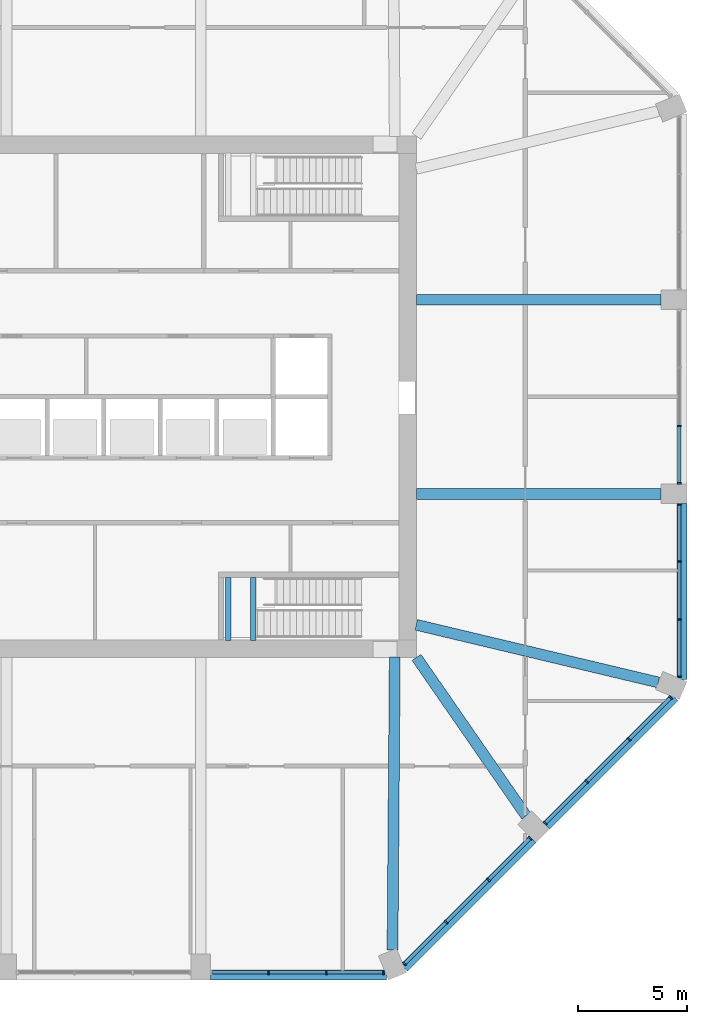
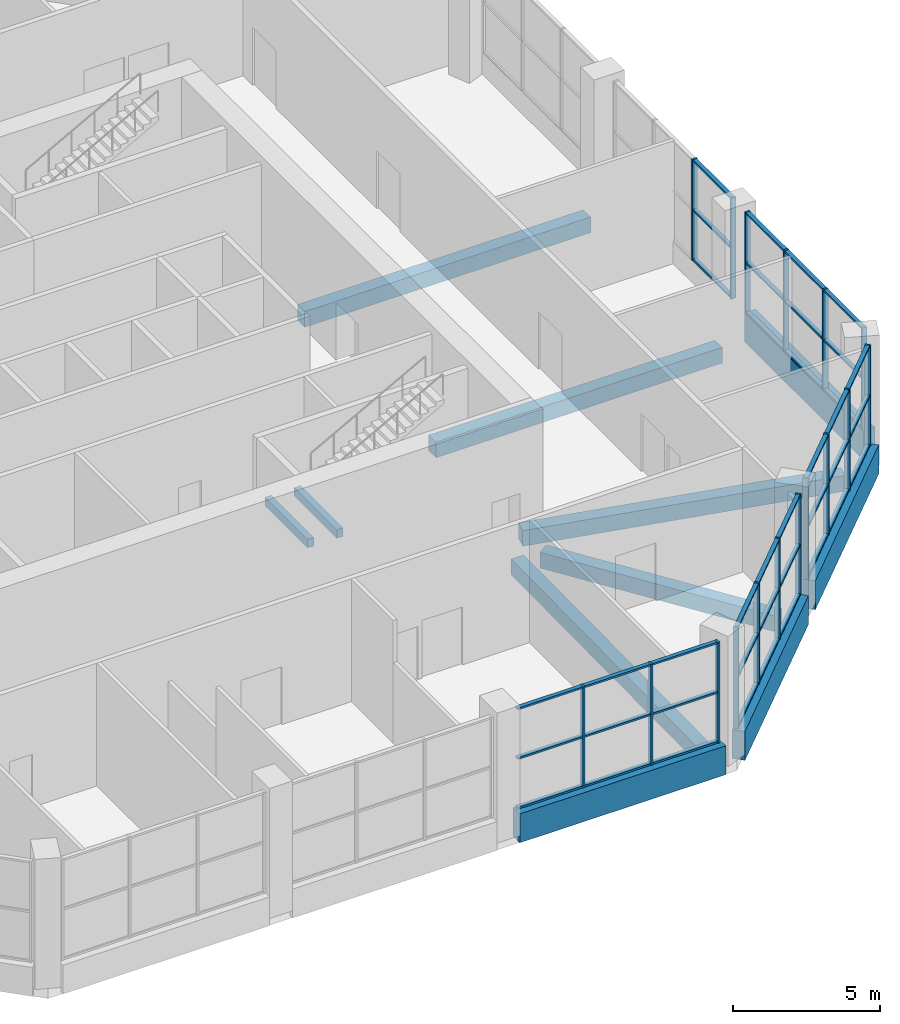
# One storey, part 4 of 16: 56 members, 11 beams, 5 elements without a shape of their own.
"""IFC4 building model written with IfcOpenShell, lengths in metres."""

from ifc_helpers import new_model, si_unit, direction, frame, origin, origin_2d, place, context, subcontext, project, spatial, rectangle, extrude, material, material_profile, profile_set, type_object, element, aggregate, save


model = new_model("IFC4")

# Units and contexts
model_context = context("Model", 3, precision=1e-05, world=origin(), true_north=direction((0.0, 1.0)))
body_context = subcontext(model_context, "Body", "Model", "MODEL_VIEW")
ifc_project = project(units=[si_unit("LENGTHUNIT", "METRE"), si_unit("AREAUNIT", "SQUARE_METRE"), si_unit("VOLUMEUNIT", "CUBIC_METRE"), si_unit("PLANEANGLEUNIT", "RADIAN"), si_unit("MASSUNIT", "GRAM", prefix="KILO")], contexts=[model_context])

# Site, building, storey
site_placement = place(None, origin())
site = spatial("IfcSite", under=ifc_project, at=site_placement, CompositionType="ELEMENT")
building_placement = place(site_placement, origin())
building = spatial("IfcBuilding", under=site, at=building_placement, Name="Msitu Wima Residences", CompositionType="ELEMENT")
storey_placement = place(building_placement, frame((0.0, 0.0, 156.89990234375)))
storey = spatial("IfcBuildingStorey", under=building, at=storey_placement, Name="L36", CompositionType="ELEMENT", Elevation=156.89990234375)

# Beams
ifc_material_1 = material(Name="Concrete C50/60", Category="concrete")
ifc_material_profile_1 = material_profile(ifc_material_1, rectangle(XDim=0.5, YDim=0.64990234375, at=origin_2d()), Name="RC 500x650")
ifc_profile_set_1 = profile_set([ifc_material_profile_1], Name="Concrete C50/60")
beam_type_1 = type_object("IfcBeamType", Name="Beam RC 500x650 Concrete C50/60", PredefinedType="BEAM", material=ifc_profile_set_1)
beam_1_placement = place(storey_placement, frame((25.5322265625, -13.150634765625, -0.724853515625), z_axis=(-0.972805528659, 0.231623408598, 0.0), x_axis=(-0.231623408598, -0.972805528659, 0.0)))
element("IfcBeam", 1, at=beam_1_placement, inside=storey, type_object=beam_type_1, Name="Beam L36 C-E0", PredefinedType="BEAM", context=body_context, shape_type="SweptSolid", body=[
    extrude(rectangle(XDim=0.5, YDim=0.64990234375, at=origin_2d()), origin(), (0.0, 0.0, 1.0), 11.455322265625),
])
for number, where, z_axis, x_axis, name in (
    (2, (25.64990234375, -4.46875, -0.724853515625), (-1.0, 0.0, 0.0), (0.0, -1.0, 0.0), "Beam L36 C-E1"),
    (3, (25.64990234375, 4.46875, -0.724853515625), (-1.0, 0.0, 0.0), (0.0, -1.0, 0.0), "Beam L36 C-E2"),
):
    element("IfcBeam", number, at=place(storey_placement, frame(where, z_axis=z_axis, x_axis=x_axis)), inside=storey, type_object=beam_type_1, Name=name, PredefinedType="BEAM", context=body_context, shape_type="SweptSolid", body=[
        extrude(rectangle(XDim=0.5, YDim=0.64990234375, at=origin_2d()), origin(), (0.0, 0.0, 1.0), 11.25),
    ])
beam_2_placement = place(storey_placement, frame((13.29638671875, -25.471923828125, -0.724853515625), z_axis=(0.007694865426, 0.999970394085, 0.0), x_axis=(-0.999970394085, 0.007694865426, 0.0)))
element("IfcBeam", 4, at=beam_2_placement, inside=storey, type_object=beam_type_1, Name="Beam L36 C-SE0", PredefinedType="BEAM", context=body_context, shape_type="SweptSolid", body=[
    extrude(rectangle(XDim=0.5, YDim=0.64990234375, at=origin_2d()), origin(), (0.0, 0.0, 1.0), 13.484375),
])
beam_3_placement = place(storey_placement, frame((19.44970703125, -19.29541015625, -0.724853515625), z_axis=(-0.569144158363, 0.822237755763, 0.0), x_axis=(-0.822237755763, -0.569144158363, 0.0)))
element("IfcBeam", 5, at=beam_3_placement, inside=storey, type_object=beam_type_1, Name="Beam L36 C-SE1", PredefinedType="BEAM", context=body_context, shape_type="SweptSolid", body=[
    extrude(rectangle(XDim=0.5, YDim=0.64990234375, at=origin_2d()), origin(), (0.0, 0.0, 1.0), 8.87255859375),
])
ifc_material_2 = material(Name="Concrete C40/50", Category="concrete")
ifc_material_profile_2 = material_profile(ifc_material_2, rectangle(XDim=0.25, YDim=0.35009765625, at=origin_2d()), Name="RC 250x350")
ifc_profile_set_2 = profile_set([ifc_material_profile_2], Name="Concrete C40/50")
beam_type_2 = type_object("IfcBeamType", Name="Landing beam RC 250x350", PredefinedType="BEAM", material=ifc_profile_set_2)
for number, where, z_axis, x_axis, name in (
    (6, (6.875, -11.22509765625, 2.406982421875), (0.0, 1.0, 0.0), (-1.0, 0.0, 0.0), "Stair 4 landing beam"),
    (7, (5.72509765625, -11.22509765625, 2.406982421875), (0.0, 1.0, 0.0), (-1.0, 0.0, 0.0), "Stair 4 landing beam"),
):
    element("IfcBeam", number, at=place(storey_placement, frame(where, z_axis=z_axis, x_axis=x_axis)), inside=storey, type_object=beam_type_2, Name=name, PredefinedType="BEAM", context=body_context, shape_type="SweptSolid", body=[
        extrude(rectangle(XDim=0.25, YDim=0.35009765625, at=origin_2d()), origin(), (0.0, 0.0, 1.0), 2.900146484375),
    ])

# Curtain wall, members
ifc_material_3 = material(Name="Anodised aluminium, bronze finish, solar control laminated double glazing", Category="aluminium")
curtain_wall_type = type_object("IfcCurtainWallType", Name="Curtain wall CW2 sky amenity wall", PredefinedType="NOTDEFINED", material=ifc_material_3)
curtain_wall_1_placement = place(storey_placement, origin())
curtain_wall_1 = element("IfcCurtainWall", 8, at=curtain_wall_1_placement, inside=storey, type_object=curtain_wall_type, Name="Curtain wall CW2 L36 E0", PredefinedType="NOTDEFINED")
ifc_material_4 = material(Name="Anodised aluminium, bronze finish", Category="aluminium")
ifc_material_profile_3 = material_profile(ifc_material_4, rectangle(XDim=0.199951171875, YDim=0.074951171875, at=origin_2d()), Name="Mullion 75x200")
ifc_profile_set_3 = profile_set([ifc_material_profile_3], Name="Anodised aluminium, bronze finish")
member_type_1 = type_object("IfcMemberType", Name="Mullion CW2 75x200", PredefinedType="MULLION", material=ifc_profile_set_3)
member_1_placement = place(storey_placement, frame((26.5, -12.88134765625, 0.900146484375), z_axis=(0.0, 0.0, 1.0), x_axis=(-1.0, 0.0, 0.0)))
member_1 = element("IfcMember", 9, at=member_1_placement, type_object=member_type_1, Name="CW2 mullion 1", PredefinedType="MULLION", context=body_context, shape_type="SweptSolid", body=[
    extrude(rectangle(XDim=0.199951171875, YDim=0.074951171875, at=origin_2d()), origin(), (0.0, 0.0, 1.0), 4.199951171875),
])
member_2_placement = place(storey_placement, frame((26.5, -10.252197265625, 0.900146484375), z_axis=(0.0, 0.0, 1.0), x_axis=(-1.0, 0.0, 0.0)))
member_2 = element("IfcMember", 10, at=member_2_placement, type_object=member_type_1, Name="CW2 mullion 2", PredefinedType="MULLION", context=body_context, shape_type="SweptSolid", body=[
    extrude(rectangle(XDim=0.199951171875, YDim=0.074951171875, at=origin_2d()), origin(), (0.0, 0.0, 1.0), 4.199951171875),
])
member_3_placement = place(storey_placement, frame((26.5, -7.58544921875, 0.900146484375), z_axis=(0.0, 0.0, 1.0), x_axis=(-1.0, 0.0, 0.0)))
member_3 = element("IfcMember", 11, at=member_3_placement, type_object=member_type_1, Name="CW2 mullion 3", PredefinedType="MULLION", context=body_context, shape_type="SweptSolid", body=[
    extrude(rectangle(XDim=0.199951171875, YDim=0.074951171875, at=origin_2d()), origin(), (0.0, 0.0, 1.0), 4.199951171875),
])
member_4_placement = place(storey_placement, frame((26.5, -4.9560546875, 0.900146484375), z_axis=(0.0, 0.0, 1.0), x_axis=(-1.0, 0.0, 0.0)))
member_4 = element("IfcMember", 12, at=member_4_placement, type_object=member_type_1, Name="CW2 mullion 4", PredefinedType="MULLION", context=body_context, shape_type="SweptSolid", body=[
    extrude(rectangle(XDim=0.199951171875, YDim=0.074951171875, at=origin_2d()), origin(), (0.0, 0.0, 1.0), 4.199951171875),
])

curtain_wall_2_placement = place(storey_placement, origin())
curtain_wall_2 = element("IfcCurtainWall", 13, at=curtain_wall_2_placement, inside=storey, type_object=curtain_wall_type, Name="Curtain wall CW2 L36 E1", PredefinedType="NOTDEFINED")
member_5_placement = place(storey_placement, frame((26.5, -3.981201171875, 0.900146484375), z_axis=(0.0, 0.0, 1.0), x_axis=(-1.0, 0.0, 0.0)))
member_5 = element("IfcMember", 14, at=member_5_placement, type_object=member_type_1, Name="CW2 mullion 1", PredefinedType="MULLION", context=body_context, shape_type="SweptSolid", body=[
    extrude(rectangle(XDim=0.199951171875, YDim=0.074951171875, at=origin_2d()), origin(), (0.0, 0.0, 1.0), 4.199951171875),
])
member_6_placement = place(storey_placement, frame((26.5, -1.339599609375, 0.900146484375), z_axis=(0.0, 0.0, 1.0), x_axis=(-1.0, 0.0, 0.0)))
member_6 = element("IfcMember", 15, at=member_6_placement, type_object=member_type_1, Name="CW2 mullion 2", PredefinedType="MULLION", context=body_context, shape_type="SweptSolid", body=[
    extrude(rectangle(XDim=0.199951171875, YDim=0.074951171875, at=origin_2d()), origin(), (0.0, 0.0, 1.0), 4.199951171875),
])

curtain_wall_3_placement = place(storey_placement, origin())
curtain_wall_3 = element("IfcCurtainWall", 16, at=curtain_wall_3_placement, inside=storey, type_object=curtain_wall_type, Name="Curtain wall CW2 L36 S2", PredefinedType="NOTDEFINED")
member_7_placement = place(storey_placement, frame((7.58544921875, -26.5, 0.900146484375), z_axis=(0.0, 0.0, 1.0), x_axis=(0.0, 1.0, 0.0)))
member_7 = element("IfcMember", 17, at=member_7_placement, type_object=member_type_1, Name="CW2 mullion 2", PredefinedType="MULLION", context=body_context, shape_type="SweptSolid", body=[
    extrude(rectangle(XDim=0.199951171875, YDim=0.074951171875, at=origin_2d()), origin(), (0.0, 0.0, 1.0), 4.199951171875),
])
member_8_placement = place(storey_placement, frame((10.252197265625, -26.5, 0.900146484375), z_axis=(0.0, 0.0, 1.0), x_axis=(0.0, 1.0, 0.0)))
member_8 = element("IfcMember", 18, at=member_8_placement, type_object=member_type_1, Name="CW2 mullion 3", PredefinedType="MULLION", context=body_context, shape_type="SweptSolid", body=[
    extrude(rectangle(XDim=0.199951171875, YDim=0.074951171875, at=origin_2d()), origin(), (0.0, 0.0, 1.0), 4.199951171875),
])
member_9_placement = place(storey_placement, frame((12.88134765625, -26.5, 0.900146484375), z_axis=(0.0, 0.0, 1.0), x_axis=(0.0, 1.0, 0.0)))
member_9 = element("IfcMember", 19, at=member_9_placement, type_object=member_type_1, Name="CW2 mullion 4", PredefinedType="MULLION", context=body_context, shape_type="SweptSolid", body=[
    extrude(rectangle(XDim=0.199951171875, YDim=0.074951171875, at=origin_2d()), origin(), (0.0, 0.0, 1.0), 4.199951171875),
])

curtain_wall_4_placement = place(storey_placement, origin())
curtain_wall_4 = element("IfcCurtainWall", 20, at=curtain_wall_4_placement, inside=storey, type_object=curtain_wall_type, Name="Curtain wall CW2 L36 SE0", PredefinedType="NOTDEFINED")
member_10_placement = place(storey_placement, frame((13.847412109375, -26.099853515625, 0.900146484375), z_axis=(0.0, 0.0, 1.0), x_axis=(-0.707106720591, 0.707106841783, 0.0)))
member_10 = element("IfcMember", 21, at=member_10_placement, type_object=member_type_1, Name="CW2 mullion 1", PredefinedType="MULLION", context=body_context, shape_type="SweptSolid", body=[
    extrude(rectangle(XDim=0.199951171875, YDim=0.074951171875, at=origin_2d()), origin(), (0.0, 0.0, 1.0), 4.199951171875),
])
member_11_placement = place(storey_placement, frame((15.765869140625, -24.181396484375, 0.900146484375), z_axis=(0.0, 0.0, 1.0), x_axis=(-0.707106720591, 0.707106841783, 0.0)))
member_11 = element("IfcMember", 22, at=member_11_placement, type_object=member_type_1, Name="CW2 mullion 2", PredefinedType="MULLION", context=body_context, shape_type="SweptSolid", body=[
    extrude(rectangle(XDim=0.199951171875, YDim=0.074951171875, at=origin_2d()), origin(), (0.0, 0.0, 1.0), 4.199951171875),
])
member_12_placement = place(storey_placement, frame((17.710693359375, -22.236572265625, 0.900146484375), z_axis=(0.0, 0.0, 1.0), x_axis=(-0.707106720591, 0.707106841783, 0.0)))
member_12 = element("IfcMember", 23, at=member_12_placement, type_object=member_type_1, Name="CW2 mullion 3", PredefinedType="MULLION", context=body_context, shape_type="SweptSolid", body=[
    extrude(rectangle(XDim=0.199951171875, YDim=0.074951171875, at=origin_2d()), origin(), (0.0, 0.0, 1.0), 4.199951171875),
])
member_13_placement = place(storey_placement, frame((19.62890625, -20.318359375, 0.900146484375), z_axis=(0.0, 0.0, 1.0), x_axis=(-0.707106720591, 0.707106841783, 0.0)))
member_13 = element("IfcMember", 24, at=member_13_placement, type_object=member_type_1, Name="CW2 mullion 4", PredefinedType="MULLION", context=body_context, shape_type="SweptSolid", body=[
    extrude(rectangle(XDim=0.199951171875, YDim=0.074951171875, at=origin_2d()), origin(), (0.0, 0.0, 1.0), 4.199951171875),
])

curtain_wall_5_placement = place(storey_placement, origin())
curtain_wall_5 = element("IfcCurtainWall", 25, at=curtain_wall_5_placement, inside=storey, type_object=curtain_wall_type, Name="Curtain wall CW2 L36 SE1", PredefinedType="NOTDEFINED")
member_14_placement = place(storey_placement, frame((20.318359375, -19.62890625, 0.900146484375), z_axis=(0.0, 0.0, 1.0), x_axis=(-0.707106781187, 0.707106781187, 0.0)))
member_14 = element("IfcMember", 26, at=member_14_placement, type_object=member_type_1, Name="CW2 mullion 1", PredefinedType="MULLION", context=body_context, shape_type="SweptSolid", body=[
    extrude(rectangle(XDim=0.199951171875, YDim=0.074951171875, at=origin_2d()), origin(), (0.0, 0.0, 1.0), 4.199951171875),
])
member_15_placement = place(storey_placement, frame((22.236572265625, -17.710693359375, 0.900146484375), z_axis=(0.0, 0.0, 1.0), x_axis=(-0.707106781187, 0.707106781187, 0.0)))
member_15 = element("IfcMember", 27, at=member_15_placement, type_object=member_type_1, Name="CW2 mullion 2", PredefinedType="MULLION", context=body_context, shape_type="SweptSolid", body=[
    extrude(rectangle(XDim=0.199951171875, YDim=0.074951171875, at=origin_2d()), origin(), (0.0, 0.0, 1.0), 4.199951171875),
])
member_16_placement = place(storey_placement, frame((24.181396484375, -15.765869140625, 0.900146484375), z_axis=(0.0, 0.0, 1.0), x_axis=(-0.707106781187, 0.707106781187, 0.0)))
member_16 = element("IfcMember", 28, at=member_16_placement, type_object=member_type_1, Name="CW2 mullion 3", PredefinedType="MULLION", context=body_context, shape_type="SweptSolid", body=[
    extrude(rectangle(XDim=0.199951171875, YDim=0.074951171875, at=origin_2d()), origin(), (0.0, 0.0, 1.0), 4.199951171875),
])
member_17_placement = place(storey_placement, frame((26.099853515625, -13.847412109375, 0.900146484375), z_axis=(0.0, 0.0, 1.0), x_axis=(-0.707106781187, 0.707106781187, 0.0)))
member_17 = element("IfcMember", 29, at=member_17_placement, type_object=member_type_1, Name="CW2 mullion 4", PredefinedType="MULLION", context=body_context, shape_type="SweptSolid", body=[
    extrude(rectangle(XDim=0.199951171875, YDim=0.074951171875, at=origin_2d()), origin(), (0.0, 0.0, 1.0), 4.199951171875),
])

# Beams
ifc_material_profile_4 = material_profile(ifc_material_1, rectangle(XDim=0.449951171875, YDim=1.199951171875, at=origin_2d()), Name="RC 450x1200")
ifc_profile_set_4 = profile_set([ifc_material_profile_4], Name="Concrete C50/60")
beam_type_3 = type_object("IfcBeamType", Name="Spandrel RC 450x1200 Concrete C50/60", PredefinedType="SPANDREL", material=ifc_profile_set_4)
for number, where, z_axis, x_axis, name in (
    (30, (26.625, -13.02392578125, 0.300048828125), (0.0, 1.0, 0.0), (-1.0, 0.0, 0.0), "Spandrel L36 E0"),
    (31, (4.918701171875, -26.625, 0.300048828125), (1.0, 0.0, 0.0), (0.0, 1.0, 0.0), "Spandrel L36 S2"),
):
    element("IfcBeam", number, at=place(storey_placement, frame(where, z_axis=z_axis, x_axis=x_axis)), inside=storey, type_object=beam_type_3, Name=name, PredefinedType="SPANDREL", context=body_context, shape_type="SweptSolid", body=[
        extrude(rectangle(XDim=0.449951171875, YDim=1.199951171875, at=origin_2d()), origin(), (0.0, 0.0, 1.0), 8.105224609375),
    ])
for number, where, z_axis, x_axis, name in (
    (32, (13.8349609375, -26.2890625, 0.300048828125), (0.707106781187, 0.707106781187, 0.0), (-0.707106781187, 0.707106781187, 0.0), "Spandrel L36 SE0"),
    (33, (20.380126953125, -19.743896484375, 0.300048828125), (0.707106781187, 0.707106781187, 0.0), (-0.707106781187, 0.707106781187, 0.0), "Spandrel L36 SE1"),
):
    element("IfcBeam", number, at=place(storey_placement, frame(where, z_axis=z_axis, x_axis=x_axis)), inside=storey, type_object=beam_type_3, Name=name, PredefinedType="SPANDREL", context=body_context, shape_type="SweptSolid", body=[
        extrude(rectangle(XDim=0.449951171875, YDim=1.199951171875, at=origin_2d()), origin(), (0.0, 0.0, 1.0), 8.3564453125),
    ])

# Member
ifc_material_profile_5 = material_profile(ifc_material_4, rectangle(XDim=0.159912109375, YDim=0.074951171875, at=origin_2d()), Name="Transom 75x160")
ifc_profile_set_5 = profile_set([ifc_material_profile_5], Name="Anodised aluminium, bronze finish")
member_type_2 = type_object("IfcMemberType", Name="Transom CW2 75x160", PredefinedType="USERDEFINED", material=ifc_profile_set_5)
member_18_placement = place(storey_placement, frame((26.5, -12.84375, 0.9375), z_axis=(0.0, 1.0, 0.0), x_axis=(-1.0, 0.0, 0.0)))
member_18 = element("IfcMember", 34, at=member_18_placement, type_object=member_type_2, Name="CW2 transom 1.1", ObjectType="TRANSOM", PredefinedType="USERDEFINED", context=body_context, shape_type="SweptSolid", body=[
    extrude(rectangle(XDim=0.159912109375, YDim=0.074951171875, at=origin_2d()), origin(), (0.0, 0.0, 1.0), 2.55419921875),
])

member_19_placement = place(storey_placement, frame((26.5, -12.84375, 3.0), z_axis=(0.0, 1.0, 0.0), x_axis=(-1.0, 0.0, 0.0)))
member_19 = element("IfcMember", 35, at=member_19_placement, type_object=member_type_2, Name="CW2 transom 1.2", ObjectType="TRANSOM", PredefinedType="USERDEFINED", context=body_context, shape_type="SweptSolid", body=[
    extrude(rectangle(XDim=0.159912109375, YDim=0.074951171875, at=origin_2d()), origin(), (0.0, 0.0, 1.0), 2.55419921875),
])

member_20_placement = place(storey_placement, frame((26.5, -12.84375, 5.0625), z_axis=(0.0, 1.0, 0.0), x_axis=(-1.0, 0.0, 0.0)))
member_20 = element("IfcMember", 36, at=member_20_placement, type_object=member_type_2, Name="CW2 transom 1.3", ObjectType="TRANSOM", PredefinedType="USERDEFINED", context=body_context, shape_type="SweptSolid", body=[
    extrude(rectangle(XDim=0.159912109375, YDim=0.074951171875, at=origin_2d()), origin(), (0.0, 0.0, 1.0), 2.55419921875),
])

member_21_placement = place(storey_placement, frame((26.5, -10.214599609375, 0.9375), z_axis=(0.0, 1.0, 0.0), x_axis=(-1.0, 0.0, 0.0)))
member_21 = element("IfcMember", 37, at=member_21_placement, type_object=member_type_2, Name="CW2 transom 2.1", ObjectType="TRANSOM", PredefinedType="USERDEFINED", context=body_context, shape_type="SweptSolid", body=[
    extrude(rectangle(XDim=0.159912109375, YDim=0.074951171875, at=origin_2d()), origin(), (0.0, 0.0, 1.0), 2.591796875),
])

member_22_placement = place(storey_placement, frame((26.5, -10.214599609375, 3.0), z_axis=(0.0, 1.0, 0.0), x_axis=(-1.0, 0.0, 0.0)))
member_22 = element("IfcMember", 38, at=member_22_placement, type_object=member_type_2, Name="CW2 transom 2.2", ObjectType="TRANSOM", PredefinedType="USERDEFINED", context=body_context, shape_type="SweptSolid", body=[
    extrude(rectangle(XDim=0.159912109375, YDim=0.074951171875, at=origin_2d()), origin(), (0.0, 0.0, 1.0), 2.591796875),
])

member_23_placement = place(storey_placement, frame((26.5, -10.214599609375, 5.0625), z_axis=(0.0, 1.0, 0.0), x_axis=(-1.0, 0.0, 0.0)))
member_23 = element("IfcMember", 39, at=member_23_placement, type_object=member_type_2, Name="CW2 transom 2.3", ObjectType="TRANSOM", PredefinedType="USERDEFINED", context=body_context, shape_type="SweptSolid", body=[
    extrude(rectangle(XDim=0.159912109375, YDim=0.074951171875, at=origin_2d()), origin(), (0.0, 0.0, 1.0), 2.591796875),
])

member_24_placement = place(storey_placement, frame((26.5, -7.5478515625, 0.9375), z_axis=(0.0, 1.0, 0.0), x_axis=(-1.0, 0.0, 0.0)))
member_24 = element("IfcMember", 40, at=member_24_placement, type_object=member_type_2, Name="CW2 transom 3.1", ObjectType="TRANSOM", PredefinedType="USERDEFINED", context=body_context, shape_type="SweptSolid", body=[
    extrude(rectangle(XDim=0.159912109375, YDim=0.074951171875, at=origin_2d()), origin(), (0.0, 0.0, 1.0), 2.55419921875),
])

member_25_placement = place(storey_placement, frame((26.5, -7.5478515625, 3.0), z_axis=(0.0, 1.0, 0.0), x_axis=(-1.0, 0.0, 0.0)))
member_25 = element("IfcMember", 41, at=member_25_placement, type_object=member_type_2, Name="CW2 transom 3.2", ObjectType="TRANSOM", PredefinedType="USERDEFINED", context=body_context, shape_type="SweptSolid", body=[
    extrude(rectangle(XDim=0.159912109375, YDim=0.074951171875, at=origin_2d()), origin(), (0.0, 0.0, 1.0), 2.55419921875),
])

member_26_placement = place(storey_placement, frame((26.5, -7.5478515625, 5.0625), z_axis=(0.0, 1.0, 0.0), x_axis=(-1.0, 0.0, 0.0)))
member_26 = element("IfcMember", 42, at=member_26_placement, type_object=member_type_2, Name="CW2 transom 3.3", ObjectType="TRANSOM", PredefinedType="USERDEFINED", context=body_context, shape_type="SweptSolid", body=[
    extrude(rectangle(XDim=0.159912109375, YDim=0.074951171875, at=origin_2d()), origin(), (0.0, 0.0, 1.0), 2.55419921875),
])

aggregate(curtain_wall_1, [member_1, member_2, member_3, member_4, member_18, member_19, member_20, member_21, member_22, member_23, member_24, member_25, member_26])

member_27_placement = place(storey_placement, frame((26.5, -3.943603515625, 0.9375), z_axis=(0.0, 1.0, 0.0), x_axis=(-1.0, 0.0, 0.0)))
member_27 = element("IfcMember", 43, at=member_27_placement, type_object=member_type_2, Name="CW2 transom 1.1", ObjectType="TRANSOM", PredefinedType="USERDEFINED", context=body_context, shape_type="SweptSolid", body=[
    extrude(rectangle(XDim=0.159912109375, YDim=0.074951171875, at=origin_2d()), origin(), (0.0, 0.0, 1.0), 2.566650390625),
])

member_28_placement = place(storey_placement, frame((26.5, -3.943603515625, 3.0), z_axis=(0.0, 1.0, 0.0), x_axis=(-1.0, 0.0, 0.0)))
member_28 = element("IfcMember", 44, at=member_28_placement, type_object=member_type_2, Name="CW2 transom 1.2", ObjectType="TRANSOM", PredefinedType="USERDEFINED", context=body_context, shape_type="SweptSolid", body=[
    extrude(rectangle(XDim=0.159912109375, YDim=0.074951171875, at=origin_2d()), origin(), (0.0, 0.0, 1.0), 2.566650390625),
])

member_29_placement = place(storey_placement, frame((26.5, -3.943603515625, 5.0625), z_axis=(0.0, 1.0, 0.0), x_axis=(-1.0, 0.0, 0.0)))
member_29 = element("IfcMember", 45, at=member_29_placement, type_object=member_type_2, Name="CW2 transom 1.3", ObjectType="TRANSOM", PredefinedType="USERDEFINED", context=body_context, shape_type="SweptSolid", body=[
    extrude(rectangle(XDim=0.159912109375, YDim=0.074951171875, at=origin_2d()), origin(), (0.0, 0.0, 1.0), 2.566650390625),
])

aggregate(curtain_wall_2, [member_5, member_6, member_27, member_28, member_29])

member_30_placement = place(storey_placement, frame((4.99365234375, -26.5, 0.9375), z_axis=(1.0, 0.0, 0.0), x_axis=(0.0, 1.0, 0.0)))
member_30 = element("IfcMember", 46, at=member_30_placement, type_object=member_type_2, Name="CW2 transom 1.1", ObjectType="TRANSOM", PredefinedType="USERDEFINED", context=body_context, shape_type="SweptSolid", body=[
    extrude(rectangle(XDim=0.159912109375, YDim=0.074951171875, at=origin_2d()), origin(), (0.0, 0.0, 1.0), 2.55419921875),
])

member_31_placement = place(storey_placement, frame((4.99365234375, -26.5, 3.0), z_axis=(1.0, 0.0, 0.0), x_axis=(0.0, 1.0, 0.0)))
member_31 = element("IfcMember", 47, at=member_31_placement, type_object=member_type_2, Name="CW2 transom 1.2", ObjectType="TRANSOM", PredefinedType="USERDEFINED", context=body_context, shape_type="SweptSolid", body=[
    extrude(rectangle(XDim=0.159912109375, YDim=0.074951171875, at=origin_2d()), origin(), (0.0, 0.0, 1.0), 2.55419921875),
])

member_32_placement = place(storey_placement, frame((4.99365234375, -26.5, 5.0625), z_axis=(1.0, 0.0, 0.0), x_axis=(0.0, 1.0, 0.0)))
member_32 = element("IfcMember", 48, at=member_32_placement, type_object=member_type_2, Name="CW2 transom 1.3", ObjectType="TRANSOM", PredefinedType="USERDEFINED", context=body_context, shape_type="SweptSolid", body=[
    extrude(rectangle(XDim=0.159912109375, YDim=0.074951171875, at=origin_2d()), origin(), (0.0, 0.0, 1.0), 2.55419921875),
])

member_33_placement = place(storey_placement, frame((7.622802734375, -26.5, 0.9375), z_axis=(1.0, 0.0, 0.0), x_axis=(0.0, 1.0, 0.0)))
member_33 = element("IfcMember", 49, at=member_33_placement, type_object=member_type_2, Name="CW2 transom 2.1", ObjectType="TRANSOM", PredefinedType="USERDEFINED", context=body_context, shape_type="SweptSolid", body=[
    extrude(rectangle(XDim=0.159912109375, YDim=0.074951171875, at=origin_2d()), origin(), (0.0, 0.0, 1.0), 2.591796875),
])

member_34_placement = place(storey_placement, frame((7.622802734375, -26.5, 3.0), z_axis=(1.0, 0.0, 0.0), x_axis=(0.0, 1.0, 0.0)))
member_34 = element("IfcMember", 50, at=member_34_placement, type_object=member_type_2, Name="CW2 transom 2.2", ObjectType="TRANSOM", PredefinedType="USERDEFINED", context=body_context, shape_type="SweptSolid", body=[
    extrude(rectangle(XDim=0.159912109375, YDim=0.074951171875, at=origin_2d()), origin(), (0.0, 0.0, 1.0), 2.591796875),
])

member_35_placement = place(storey_placement, frame((7.622802734375, -26.5, 5.0625), z_axis=(1.0, 0.0, 0.0), x_axis=(0.0, 1.0, 0.0)))
member_35 = element("IfcMember", 51, at=member_35_placement, type_object=member_type_2, Name="CW2 transom 2.3", ObjectType="TRANSOM", PredefinedType="USERDEFINED", context=body_context, shape_type="SweptSolid", body=[
    extrude(rectangle(XDim=0.159912109375, YDim=0.074951171875, at=origin_2d()), origin(), (0.0, 0.0, 1.0), 2.591796875),
])

member_36_placement = place(storey_placement, frame((10.28955078125, -26.5, 0.9375), z_axis=(1.0, 0.0, 0.0), x_axis=(0.0, 1.0, 0.0)))
member_36 = element("IfcMember", 52, at=member_36_placement, type_object=member_type_2, Name="CW2 transom 3.1", ObjectType="TRANSOM", PredefinedType="USERDEFINED", context=body_context, shape_type="SweptSolid", body=[
    extrude(rectangle(XDim=0.159912109375, YDim=0.074951171875, at=origin_2d()), origin(), (0.0, 0.0, 1.0), 2.55419921875),
])

member_37_placement = place(storey_placement, frame((10.28955078125, -26.5, 3.0), z_axis=(1.0, 0.0, 0.0), x_axis=(0.0, 1.0, 0.0)))
member_37 = element("IfcMember", 53, at=member_37_placement, type_object=member_type_2, Name="CW2 transom 3.2", ObjectType="TRANSOM", PredefinedType="USERDEFINED", context=body_context, shape_type="SweptSolid", body=[
    extrude(rectangle(XDim=0.159912109375, YDim=0.074951171875, at=origin_2d()), origin(), (0.0, 0.0, 1.0), 2.55419921875),
])

member_38_placement = place(storey_placement, frame((10.28955078125, -26.5, 5.0625), z_axis=(1.0, 0.0, 0.0), x_axis=(0.0, 1.0, 0.0)))
member_38 = element("IfcMember", 54, at=member_38_placement, type_object=member_type_2, Name="CW2 transom 3.3", ObjectType="TRANSOM", PredefinedType="USERDEFINED", context=body_context, shape_type="SweptSolid", body=[
    extrude(rectangle(XDim=0.159912109375, YDim=0.074951171875, at=origin_2d()), origin(), (0.0, 0.0, 1.0), 2.55419921875),
])

aggregate(curtain_wall_3, [member_7, member_8, member_9, member_30, member_31, member_32, member_33, member_34, member_35, member_36, member_37, member_38])

member_39_placement = place(storey_placement, frame((13.8740234375, -26.0732421875, 0.9375), z_axis=(0.707106781187, 0.707106781187, 0.0), x_axis=(-0.707106781187, 0.707106781187, 0.0)))
member_39 = element("IfcMember", 55, at=member_39_placement, type_object=member_type_2, Name="CW2 transom 1.1", ObjectType="TRANSOM", PredefinedType="USERDEFINED", context=body_context, shape_type="SweptSolid", body=[
    extrude(rectangle(XDim=0.159912109375, YDim=0.074951171875, at=origin_2d()), origin(), (0.0, 0.0, 1.0), 2.637939453125),
])

member_40_placement = place(storey_placement, frame((13.8740234375, -26.0732421875, 3.0), z_axis=(0.707106781187, 0.707106781187, 0.0), x_axis=(-0.707106781187, 0.707106781187, 0.0)))
member_40 = element("IfcMember", 56, at=member_40_placement, type_object=member_type_2, Name="CW2 transom 1.2", ObjectType="TRANSOM", PredefinedType="USERDEFINED", context=body_context, shape_type="SweptSolid", body=[
    extrude(rectangle(XDim=0.159912109375, YDim=0.074951171875, at=origin_2d()), origin(), (0.0, 0.0, 1.0), 2.637939453125),
])

member_41_placement = place(storey_placement, frame((13.8740234375, -26.0732421875, 5.0625), z_axis=(0.707106781187, 0.707106781187, 0.0), x_axis=(-0.707106781187, 0.707106781187, 0.0)))
member_41 = element("IfcMember", 57, at=member_41_placement, type_object=member_type_2, Name="CW2 transom 1.3", ObjectType="TRANSOM", PredefinedType="USERDEFINED", context=body_context, shape_type="SweptSolid", body=[
    extrude(rectangle(XDim=0.159912109375, YDim=0.074951171875, at=origin_2d()), origin(), (0.0, 0.0, 1.0), 2.637939453125),
])

member_42_placement = place(storey_placement, frame((15.792236328125, -24.155029296875, 0.9375), z_axis=(0.707106781187, 0.707106781187, 0.0), x_axis=(-0.707106781187, 0.707106781187, 0.0)))
member_42 = element("IfcMember", 58, at=member_42_placement, type_object=member_type_2, Name="CW2 transom 2.1", ObjectType="TRANSOM", PredefinedType="USERDEFINED", context=body_context, shape_type="SweptSolid", body=[
    extrude(rectangle(XDim=0.159912109375, YDim=0.074951171875, at=origin_2d()), origin(), (0.0, 0.0, 1.0), 2.675537109375),
])

member_43_placement = place(storey_placement, frame((15.792236328125, -24.155029296875, 3.0), z_axis=(0.707106781187, 0.707106781187, 0.0), x_axis=(-0.707106781187, 0.707106781187, 0.0)))
member_43 = element("IfcMember", 59, at=member_43_placement, type_object=member_type_2, Name="CW2 transom 2.2", ObjectType="TRANSOM", PredefinedType="USERDEFINED", context=body_context, shape_type="SweptSolid", body=[
    extrude(rectangle(XDim=0.159912109375, YDim=0.074951171875, at=origin_2d()), origin(), (0.0, 0.0, 1.0), 2.675537109375),
])

member_44_placement = place(storey_placement, frame((15.792236328125, -24.155029296875, 5.0625), z_axis=(0.707106781187, 0.707106781187, 0.0), x_axis=(-0.707106781187, 0.707106781187, 0.0)))
member_44 = element("IfcMember", 60, at=member_44_placement, type_object=member_type_2, Name="CW2 transom 2.3", ObjectType="TRANSOM", PredefinedType="USERDEFINED", context=body_context, shape_type="SweptSolid", body=[
    extrude(rectangle(XDim=0.159912109375, YDim=0.074951171875, at=origin_2d()), origin(), (0.0, 0.0, 1.0), 2.675537109375),
])

member_45_placement = place(storey_placement, frame((17.737060546875, -22.210205078125, 0.9375), z_axis=(0.707153053266, 0.707060506079, 0.0), x_axis=(-0.707060506079, 0.707153053266, 0.0)))
member_45 = element("IfcMember", 61, at=member_45_placement, type_object=member_type_2, Name="CW2 transom 3.1", ObjectType="TRANSOM", PredefinedType="USERDEFINED", context=body_context, shape_type="SweptSolid", body=[
    extrude(rectangle(XDim=0.159912109375, YDim=0.074951171875, at=origin_2d()), origin(), (0.0, 0.0, 1.0), 2.637939453125),
])

member_46_placement = place(storey_placement, frame((17.737060546875, -22.210205078125, 3.0), z_axis=(0.707153053266, 0.707060506079, 0.0), x_axis=(-0.707060506079, 0.707153053266, 0.0)))
member_46 = element("IfcMember", 62, at=member_46_placement, type_object=member_type_2, Name="CW2 transom 3.2", ObjectType="TRANSOM", PredefinedType="USERDEFINED", context=body_context, shape_type="SweptSolid", body=[
    extrude(rectangle(XDim=0.159912109375, YDim=0.074951171875, at=origin_2d()), origin(), (0.0, 0.0, 1.0), 2.637939453125),
])

member_47_placement = place(storey_placement, frame((17.737060546875, -22.210205078125, 5.0625), z_axis=(0.707153053266, 0.707060506079, 0.0), x_axis=(-0.707060506079, 0.707153053266, 0.0)))
member_47 = element("IfcMember", 63, at=member_47_placement, type_object=member_type_2, Name="CW2 transom 3.3", ObjectType="TRANSOM", PredefinedType="USERDEFINED", context=body_context, shape_type="SweptSolid", body=[
    extrude(rectangle(XDim=0.159912109375, YDim=0.074951171875, at=origin_2d()), origin(), (0.0, 0.0, 1.0), 2.637939453125),
])

aggregate(curtain_wall_4, [member_10, member_11, member_12, member_13, member_39, member_40, member_41, member_42, member_43, member_44, member_45, member_46, member_47])

member_48_placement = place(storey_placement, frame((20.344970703125, -19.6025390625, 0.9375), z_axis=(0.707060506079, 0.707153053266, 0.0), x_axis=(-0.707153053266, 0.707060506079, 0.0)))
member_48 = element("IfcMember", 64, at=member_48_placement, type_object=member_type_2, Name="CW2 transom 1.1", ObjectType="TRANSOM", PredefinedType="USERDEFINED", context=body_context, shape_type="SweptSolid", body=[
    extrude(rectangle(XDim=0.159912109375, YDim=0.074951171875, at=origin_2d()), origin(), (0.0, 0.0, 1.0), 2.637939453125),
])

member_49_placement = place(storey_placement, frame((20.344970703125, -19.6025390625, 3.0), z_axis=(0.707060506079, 0.707153053266, 0.0), x_axis=(-0.707153053266, 0.707060506079, 0.0)))
member_49 = element("IfcMember", 65, at=member_49_placement, type_object=member_type_2, Name="CW2 transom 1.2", ObjectType="TRANSOM", PredefinedType="USERDEFINED", context=body_context, shape_type="SweptSolid", body=[
    extrude(rectangle(XDim=0.159912109375, YDim=0.074951171875, at=origin_2d()), origin(), (0.0, 0.0, 1.0), 2.637939453125),
])

member_50_placement = place(storey_placement, frame((20.344970703125, -19.6025390625, 5.0625), z_axis=(0.707060506079, 0.707153053266, 0.0), x_axis=(-0.707153053266, 0.707060506079, 0.0)))
member_50 = element("IfcMember", 66, at=member_50_placement, type_object=member_type_2, Name="CW2 transom 1.3", ObjectType="TRANSOM", PredefinedType="USERDEFINED", context=body_context, shape_type="SweptSolid", body=[
    extrude(rectangle(XDim=0.159912109375, YDim=0.074951171875, at=origin_2d()), origin(), (0.0, 0.0, 1.0), 2.637939453125),
])

member_51_placement = place(storey_placement, frame((22.26318359375, -17.68408203125, 0.9375), z_axis=(0.707106781187, 0.707106781187, 0.0), x_axis=(-0.707106781187, 0.707106781187, 0.0)))
member_51 = element("IfcMember", 67, at=member_51_placement, type_object=member_type_2, Name="CW2 transom 2.1", ObjectType="TRANSOM", PredefinedType="USERDEFINED", context=body_context, shape_type="SweptSolid", body=[
    extrude(rectangle(XDim=0.159912109375, YDim=0.074951171875, at=origin_2d()), origin(), (0.0, 0.0, 1.0), 2.675537109375),
])

member_52_placement = place(storey_placement, frame((22.26318359375, -17.68408203125, 3.0), z_axis=(0.707106781187, 0.707106781187, 0.0), x_axis=(-0.707106781187, 0.707106781187, 0.0)))
member_52 = element("IfcMember", 68, at=member_52_placement, type_object=member_type_2, Name="CW2 transom 2.2", ObjectType="TRANSOM", PredefinedType="USERDEFINED", context=body_context, shape_type="SweptSolid", body=[
    extrude(rectangle(XDim=0.159912109375, YDim=0.074951171875, at=origin_2d()), origin(), (0.0, 0.0, 1.0), 2.675537109375),
])

member_53_placement = place(storey_placement, frame((22.26318359375, -17.68408203125, 5.0625), z_axis=(0.707106781187, 0.707106781187, 0.0), x_axis=(-0.707106781187, 0.707106781187, 0.0)))
member_53 = element("IfcMember", 69, at=member_53_placement, type_object=member_type_2, Name="CW2 transom 2.3", ObjectType="TRANSOM", PredefinedType="USERDEFINED", context=body_context, shape_type="SweptSolid", body=[
    extrude(rectangle(XDim=0.159912109375, YDim=0.074951171875, at=origin_2d()), origin(), (0.0, 0.0, 1.0), 2.675537109375),
])

member_54_placement = place(storey_placement, frame((24.2080078125, -15.7392578125, 0.9375), z_axis=(0.707106781187, 0.707106781187, 0.0), x_axis=(-0.707106781187, 0.707106781187, 0.0)))
member_54 = element("IfcMember", 70, at=member_54_placement, type_object=member_type_2, Name="CW2 transom 3.1", ObjectType="TRANSOM", PredefinedType="USERDEFINED", context=body_context, shape_type="SweptSolid", body=[
    extrude(rectangle(XDim=0.159912109375, YDim=0.074951171875, at=origin_2d()), origin(), (0.0, 0.0, 1.0), 2.637939453125),
])

member_55_placement = place(storey_placement, frame((24.2080078125, -15.7392578125, 3.0), z_axis=(0.707106781187, 0.707106781187, 0.0), x_axis=(-0.707106781187, 0.707106781187, 0.0)))
member_55 = element("IfcMember", 71, at=member_55_placement, type_object=member_type_2, Name="CW2 transom 3.2", ObjectType="TRANSOM", PredefinedType="USERDEFINED", context=body_context, shape_type="SweptSolid", body=[
    extrude(rectangle(XDim=0.159912109375, YDim=0.074951171875, at=origin_2d()), origin(), (0.0, 0.0, 1.0), 2.637939453125),
])

member_56_placement = place(storey_placement, frame((24.2080078125, -15.7392578125, 5.0625), z_axis=(0.707106781187, 0.707106781187, 0.0), x_axis=(-0.707106781187, 0.707106781187, 0.0)))
member_56 = element("IfcMember", 72, at=member_56_placement, type_object=member_type_2, Name="CW2 transom 3.3", ObjectType="TRANSOM", PredefinedType="USERDEFINED", context=body_context, shape_type="SweptSolid", body=[
    extrude(rectangle(XDim=0.159912109375, YDim=0.074951171875, at=origin_2d()), origin(), (0.0, 0.0, 1.0), 2.637939453125),
])

aggregate(curtain_wall_5, [member_14, member_15, member_16, member_17, member_48, member_49, member_50, member_51, member_52, member_53, member_54, member_55, member_56])

save(model, "model.ifc")
